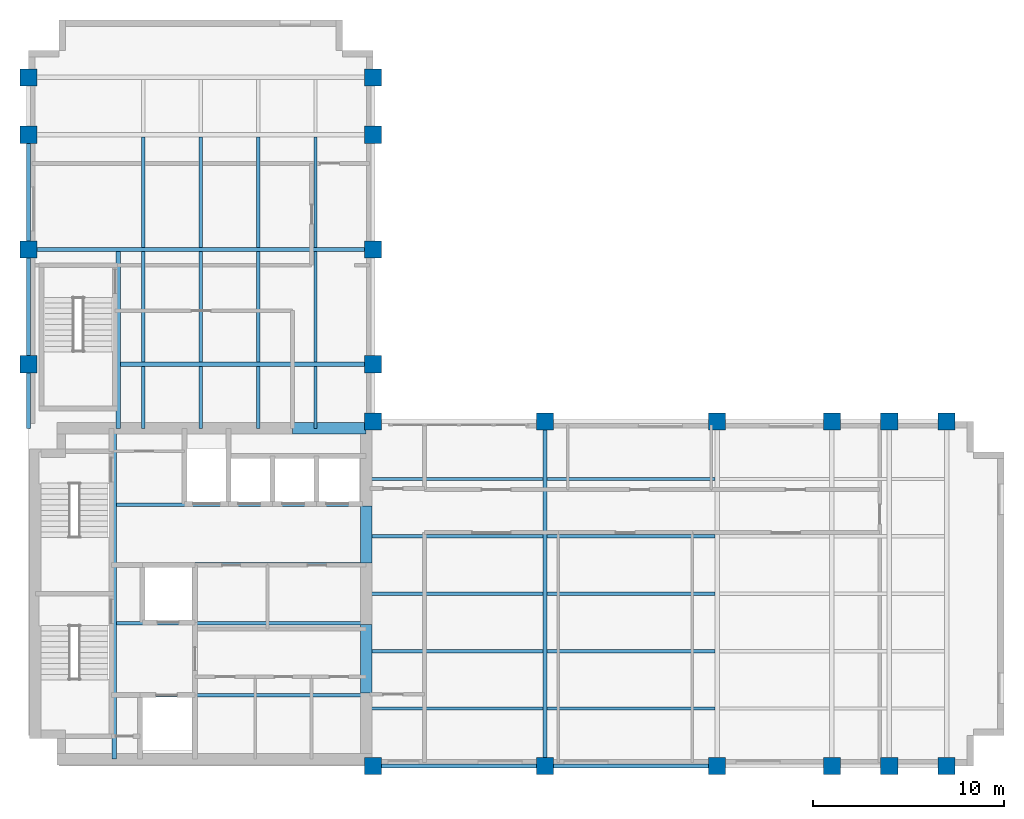
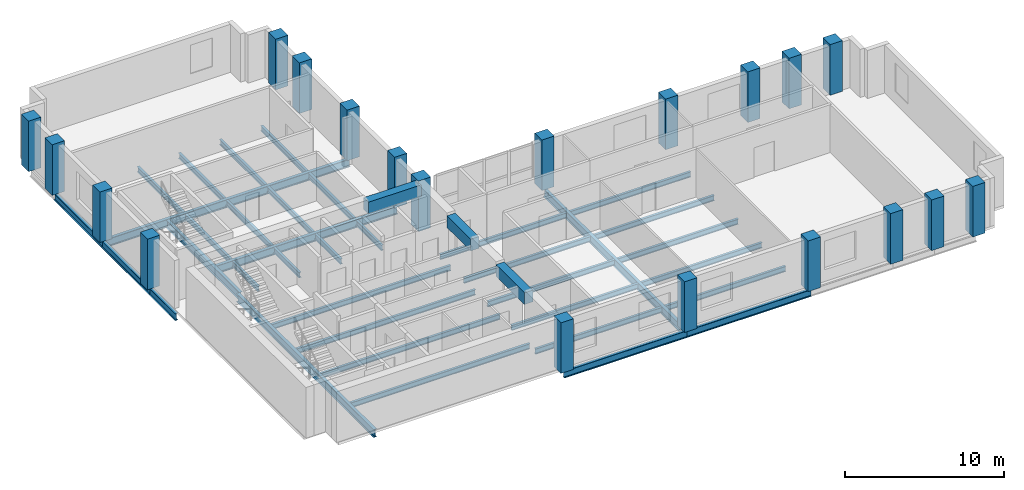
# One storey, part 1 of 7: 39 beams, 20 columns.
"""IFC4 building model written with IfcOpenShell, lengths in metres."""

from ifc_helpers import new_model, si_unit, direction, frame, origin, origin_2d, place, context, subcontext, project, spatial, rectangle, i_section, extrude, material, material_profile, profile_set, type_object, element, save


model = new_model("IFC4")

# Units and contexts
model_context = context("Model", 3, precision=1e-05, world=origin(), true_north=direction((0.0, 1.0)))
body_context = subcontext(model_context, "Body", "Model", "MODEL_VIEW")
ifc_project = project(units=[si_unit("LENGTHUNIT", "METRE"), si_unit("AREAUNIT", "SQUARE_METRE"), si_unit("VOLUMEUNIT", "CUBIC_METRE"), si_unit("PLANEANGLEUNIT", "RADIAN"), si_unit("MASSUNIT", "GRAM", prefix="KILO")], contexts=[model_context])

# Site, building, storey
site_placement = place(None, origin())
site = spatial("IfcSite", under=ifc_project, at=site_placement, CompositionType="ELEMENT")
building_placement = place(site_placement, origin())
building = spatial("IfcBuilding", under=site, at=building_placement, Name="Mawjdan Bourse Tower", CompositionType="ELEMENT")
storey_placement = place(building_placement, frame((0.0, 0.0, 203.39990234375)))
storey = spatial("IfcBuildingStorey", under=building, at=storey_placement, Name="L49", CompositionType="ELEMENT", Elevation=203.39990234375)

# Columns
ifc_material_1 = material(Name="Concrete C70/85", Category="concrete")
ifc_material_profile_1 = material_profile(ifc_material_1, rectangle(XDim=0.89990234375, YDim=0.89990234375, at=origin_2d()), Name="RC900X900")
ifc_profile_set_1 = profile_set([ifc_material_profile_1], Name="Concrete C70/85")
column_type = type_object("IfcColumnType", Name="COL-RC900X900", PredefinedType="COLUMN", material=ifc_profile_set_1)
for number, where, z_axis, x_axis, name in (
    (1, (24.0, 3.0, 0.0), (0.0, 0.0, 1.0), (1.0, 0.0, 0.0), "L49 Structural Column C-X240-Y30"),
    (2, (24.0, 21.0, 0.0), (0.0, 0.0, 1.0), (1.0, 0.0, 0.0), "L49 Structural Column C-X240-Y210"),
    (3, (33.0, 3.0, 0.0), (0.0, 0.0, 1.0), (1.0, 0.0, 0.0), "L49 Structural Column C-X330-Y30"),
    (4, (33.0, 21.0, 0.0), (0.0, 0.0, 1.0), (1.0, 0.0, 0.0), "L49 Structural Column C-X330-Y210"),
    (5, (42.0, 3.0, 0.0), (0.0, 0.0, 1.0), (1.0, 0.0, 0.0), "L49 Structural Column C-X420-Y30"),
    (6, (42.0, 21.0, 0.0), (0.0, 0.0, 1.0), (1.0, 0.0, 0.0), "L49 Structural Column C-X420-Y210"),
    (7, (48.0, 3.0, 0.0), (0.0, 0.0, 1.0), (1.0, 0.0, 0.0), "L49 Structural Column C-X480-Y30"),
    (8, (48.0, 21.0, 0.0), (0.0, 0.0, 1.0), (1.0, 0.0, 0.0), "L49 Structural Column C-X480-Y210"),
    (9, (51.0, 3.0, 0.0), (0.0, 0.0, 1.0), (1.0, 0.0, 0.0), "L49 Structural Column C-X510-Y30"),
    (10, (51.0, 21.0, 0.0), (0.0, 0.0, 1.0), (1.0, 0.0, 0.0), "L49 Structural Column C-X510-Y210"),
    (11, (54.0, 3.0, 0.0), (0.0, 0.0, 1.0), (1.0, 0.0, 0.0), "L49 Structural Column C-X540-Y30"),
    (12, (54.0, 21.0, 0.0), (0.0, 0.0, 1.0), (1.0, 0.0, 0.0), "L49 Structural Column C-X540-Y210"),
    (13, (6.0, 24.0, 0.0), (0.0, 0.0, 1.0), (1.0, 0.0, 0.0), "L49 Structural Column C-X60-Y240"),
    (14, (24.0, 24.0, 0.0), (0.0, 0.0, 1.0), (1.0, 0.0, 0.0), "L49 Structural Column C-X240-Y240"),
    (15, (6.0, 30.0, 0.0), (0.0, 0.0, 1.0), (1.0, 0.0, 0.0), "L49 Structural Column C-X60-Y300"),
    (16, (24.0, 30.0, 0.0), (0.0, 0.0, 1.0), (1.0, 0.0, 0.0), "L49 Structural Column C-X240-Y300"),
    (17, (6.0, 36.0, 0.0), (0.0, 0.0, 1.0), (1.0, 0.0, 0.0), "L49 Structural Column C-X60-Y360"),
    (18, (24.0, 36.0, 0.0), (0.0, 0.0, 1.0), (1.0, 0.0, 0.0), "L49 Structural Column C-X240-Y360"),
    (19, (6.0, 39.0, 0.0), (0.0, 0.0, 1.0), (1.0, 0.0, 0.0), "L49 Structural Column C-X60-Y390"),
    (20, (24.0, 39.0, 0.0), (0.0, 0.0, 1.0), (1.0, 0.0, 0.0), "L49 Structural Column C-X240-Y390"),
):
    element("IfcColumn", number, at=place(storey_placement, frame(where, z_axis=z_axis, x_axis=x_axis)), inside=storey, type_object=column_type, Name=name, PredefinedType="COLUMN", context=body_context, shape_type="SweptSolid", body=[
        extrude(rectangle(XDim=0.89990234375, YDim=0.89990234375, at=origin_2d()), origin(), (0.0, 0.0, 1.0), 3.900146484375),
    ])

# Beams
ifc_material_2 = material(Name="Structural Steel S355", Category="steel")
ifc_material_profile_2 = material_profile(ifc_material_2, i_section(OverallWidth=0.22998046875, OverallDepth=0.616943359375, WebThickness=0.01318359375, FlangeThickness=0.022216796875, FilletRadius=0.017822265625, at=origin_2d()), Name="W24X94")
ifc_profile_set_2 = profile_set([ifc_material_profile_2], Name="Structural Steel S355")
beam_type_1 = type_object("IfcBeamType", Name="GRD-W24X94", PredefinedType="BEAM", material=ifc_profile_set_2)
beam_1_placement = place(storey_placement, frame((10.47998046875, 3.35009765625, -0.50830078125), z_axis=(0.0, 1.0, 0.0), x_axis=(-1.0, 0.0, 0.0)))
element("IfcBeam", 21, at=beam_1_placement, inside=storey, type_object=beam_type_1, Name="L49 Core Stair Trimmer Girder 001", PredefinedType="BEAM", context=body_context, shape_type="SweptSolid", body=[
    extrude(i_section(OverallWidth=0.22998046875, OverallDepth=0.616943359375, WebThickness=0.01318359375, FlangeThickness=0.022216796875, FilletRadius=0.017822265625, at=origin_2d()), origin(), (0.0, 0.0, 1.0), 17.2998046875),
])
beam_2_placement = place(storey_placement, frame((33.0, 3.0, -0.50830078125), z_axis=(0.0, 1.0, 0.0), x_axis=(-1.0, 0.0, 0.0)))
element("IfcBeam", 22, at=beam_2_placement, inside=storey, type_object=beam_type_1, Name="L49 East Wing Clear-Span Girder 002", PredefinedType="BEAM", context=body_context, shape_type="SweptSolid", body=[
    extrude(i_section(OverallWidth=0.22998046875, OverallDepth=0.616943359375, WebThickness=0.01318359375, FlangeThickness=0.022216796875, FilletRadius=0.017822265625, at=origin_2d()), origin(), (0.0, 0.0, 1.0), 18.0),
])
beam_3_placement = place(storey_placement, frame((10.679931640625, 20.64990234375, -0.50830078125), z_axis=(0.0, 1.0, 0.0), x_axis=(-1.0, 0.0, 0.0)))
element("IfcBeam", 23, at=beam_3_placement, inside=storey, type_object=beam_type_1, Name="L49 North Wing Stair Trimmer Girder 046", PredefinedType="BEAM", context=body_context, shape_type="SweptSolid", body=[
    extrude(i_section(OverallWidth=0.22998046875, OverallDepth=0.616943359375, WebThickness=0.01318359375, FlangeThickness=0.022216796875, FilletRadius=0.017822265625, at=origin_2d()), origin(), (0.0, 0.0, 1.0), 9.237060546875),
])
beam_4_placement = place(storey_placement, frame((10.79296875, 24.0, -0.50830078125), z_axis=(1.0, 0.0, 0.0), x_axis=(0.0, 1.0, 0.0)))
element("IfcBeam", 24, at=beam_4_placement, inside=storey, type_object=beam_type_1, Name="L49 North Wing Clear-Span Girder 047", PredefinedType="BEAM", context=body_context, shape_type="SweptSolid", body=[
    extrude(i_section(OverallWidth=0.22998046875, OverallDepth=0.616943359375, WebThickness=0.01318359375, FlangeThickness=0.022216796875, FilletRadius=0.017822265625, at=origin_2d()), origin(), (0.0, 0.0, 1.0), 13.20703125),
])
beam_5_placement = place(storey_placement, frame((6.0, 30.0, -0.50830078125), z_axis=(1.0, 0.0, 0.0), x_axis=(0.0, 1.0, 0.0)))
element("IfcBeam", 25, at=beam_5_placement, inside=storey, type_object=beam_type_1, Name="L49 North Wing Clear-Span Girder 048", PredefinedType="BEAM", context=body_context, shape_type="SweptSolid", body=[
    extrude(i_section(OverallWidth=0.22998046875, OverallDepth=0.616943359375, WebThickness=0.01318359375, FlangeThickness=0.022216796875, FilletRadius=0.017822265625, at=origin_2d()), origin(), (0.0, 0.0, 1.0), 18.0),
])
ifc_material_profile_3 = material_profile(ifc_material_2, i_section(OverallWidth=0.177978515625, OverallDepth=0.406982421875, WebThickness=0.0078125, FlangeThickness=0.0126953125, FilletRadius=0.01025390625, at=origin_2d()), Name="W16X40")
ifc_profile_set_3 = profile_set([ifc_material_profile_3], Name="Structural Steel S355")
beam_type_2 = type_object("IfcBeamType", Name="JST-W16X40", PredefinedType="JOIST", material=ifc_profile_set_3)
beam_6_placement = place(storey_placement, frame((23.64990234375, 6.0, -0.4033203125), z_axis=(1.0, 0.0, 0.0), x_axis=(0.0, 1.0, 0.0)))
element("IfcBeam", 26, at=beam_6_placement, inside=storey, type_object=beam_type_2, Name="L49 East Wing Composite Joist 017", PredefinedType="JOIST", context=body_context, shape_type="SweptSolid", body=[
    extrude(i_section(OverallWidth=0.177978515625, OverallDepth=0.406982421875, WebThickness=0.0078125, FlangeThickness=0.0126953125, FilletRadius=0.01025390625, at=origin_2d()), origin(), (0.0, 0.0, 1.0), 9.237060546875),
])
beam_7_placement = place(storey_placement, frame((33.113037109375, 6.0, -0.4033203125), z_axis=(1.0, 0.0, 0.0), x_axis=(0.0, 1.0, 0.0)))
element("IfcBeam", 27, at=beam_7_placement, inside=storey, type_object=beam_type_2, Name="L49 East Wing Composite Joist 018", PredefinedType="JOIST", context=body_context, shape_type="SweptSolid", body=[
    extrude(i_section(OverallWidth=0.177978515625, OverallDepth=0.406982421875, WebThickness=0.0078125, FlangeThickness=0.0126953125, FilletRadius=0.01025390625, at=origin_2d()), origin(), (0.0, 0.0, 1.0), 8.77392578125),
])
beam_8_placement = place(storey_placement, frame((23.64990234375, 9.0, -0.4033203125), z_axis=(1.0, 0.0, 0.0), x_axis=(0.0, 1.0, 0.0)))
element("IfcBeam", 28, at=beam_8_placement, inside=storey, type_object=beam_type_2, Name="L49 East Wing Composite Joist 022", PredefinedType="JOIST", context=body_context, shape_type="SweptSolid", body=[
    extrude(i_section(OverallWidth=0.177978515625, OverallDepth=0.406982421875, WebThickness=0.0078125, FlangeThickness=0.0126953125, FilletRadius=0.01025390625, at=origin_2d()), origin(), (0.0, 0.0, 1.0), 9.237060546875),
])
beam_9_placement = place(storey_placement, frame((33.113037109375, 9.0, -0.4033203125), z_axis=(1.0, 0.0, 0.0), x_axis=(0.0, 1.0, 0.0)))
element("IfcBeam", 29, at=beam_9_placement, inside=storey, type_object=beam_type_2, Name="L49 East Wing Composite Joist 023", PredefinedType="JOIST", context=body_context, shape_type="SweptSolid", body=[
    extrude(i_section(OverallWidth=0.177978515625, OverallDepth=0.406982421875, WebThickness=0.0078125, FlangeThickness=0.0126953125, FilletRadius=0.01025390625, at=origin_2d()), origin(), (0.0, 0.0, 1.0), 8.77392578125),
])
beam_10_placement = place(storey_placement, frame((23.64990234375, 12.0, -0.4033203125), z_axis=(1.0, 0.0, 0.0), x_axis=(0.0, 1.0, 0.0)))
element("IfcBeam", 30, at=beam_10_placement, inside=storey, type_object=beam_type_2, Name="L49 East Wing Composite Joist 027", PredefinedType="JOIST", context=body_context, shape_type="SweptSolid", body=[
    extrude(i_section(OverallWidth=0.177978515625, OverallDepth=0.406982421875, WebThickness=0.0078125, FlangeThickness=0.0126953125, FilletRadius=0.01025390625, at=origin_2d()), origin(), (0.0, 0.0, 1.0), 9.237060546875),
])
beam_11_placement = place(storey_placement, frame((33.113037109375, 12.0, -0.4033203125), z_axis=(1.0, 0.0, 0.0), x_axis=(0.0, 1.0, 0.0)))
element("IfcBeam", 31, at=beam_11_placement, inside=storey, type_object=beam_type_2, Name="L49 East Wing Composite Joist 028", PredefinedType="JOIST", context=body_context, shape_type="SweptSolid", body=[
    extrude(i_section(OverallWidth=0.177978515625, OverallDepth=0.406982421875, WebThickness=0.0078125, FlangeThickness=0.0126953125, FilletRadius=0.01025390625, at=origin_2d()), origin(), (0.0, 0.0, 1.0), 8.77392578125),
])
beam_12_placement = place(storey_placement, frame((23.64990234375, 15.0, -0.4033203125), z_axis=(1.0, 0.0, 0.0), x_axis=(0.0, 1.0, 0.0)))
element("IfcBeam", 32, at=beam_12_placement, inside=storey, type_object=beam_type_2, Name="L49 East Wing Composite Joist 032", PredefinedType="JOIST", context=body_context, shape_type="SweptSolid", body=[
    extrude(i_section(OverallWidth=0.177978515625, OverallDepth=0.406982421875, WebThickness=0.0078125, FlangeThickness=0.0126953125, FilletRadius=0.01025390625, at=origin_2d()), origin(), (0.0, 0.0, 1.0), 9.237060546875),
])
beam_13_placement = place(storey_placement, frame((33.113037109375, 15.0, -0.4033203125), z_axis=(1.0, 0.0, 0.0), x_axis=(0.0, 1.0, 0.0)))
element("IfcBeam", 33, at=beam_13_placement, inside=storey, type_object=beam_type_2, Name="L49 East Wing Composite Joist 033", PredefinedType="JOIST", context=body_context, shape_type="SweptSolid", body=[
    extrude(i_section(OverallWidth=0.177978515625, OverallDepth=0.406982421875, WebThickness=0.0078125, FlangeThickness=0.0126953125, FilletRadius=0.01025390625, at=origin_2d()), origin(), (0.0, 0.0, 1.0), 8.77392578125),
])
beam_14_placement = place(storey_placement, frame((23.64990234375, 18.0, -0.4033203125), z_axis=(1.0, 0.0, 0.0), x_axis=(0.0, 1.0, 0.0)))
element("IfcBeam", 34, at=beam_14_placement, inside=storey, type_object=beam_type_2, Name="L49 East Wing Composite Joist 037", PredefinedType="JOIST", context=body_context, shape_type="SweptSolid", body=[
    extrude(i_section(OverallWidth=0.177978515625, OverallDepth=0.406982421875, WebThickness=0.0078125, FlangeThickness=0.0126953125, FilletRadius=0.01025390625, at=origin_2d()), origin(), (0.0, 0.0, 1.0), 9.237060546875),
])
beam_15_placement = place(storey_placement, frame((33.113037109375, 18.0, -0.4033203125), z_axis=(1.0, 0.0, 0.0), x_axis=(0.0, 1.0, 0.0)))
element("IfcBeam", 35, at=beam_15_placement, inside=storey, type_object=beam_type_2, Name="L49 East Wing Composite Joist 038", PredefinedType="JOIST", context=body_context, shape_type="SweptSolid", body=[
    extrude(i_section(OverallWidth=0.177978515625, OverallDepth=0.406982421875, WebThickness=0.0078125, FlangeThickness=0.0126953125, FilletRadius=0.01025390625, at=origin_2d()), origin(), (0.0, 0.0, 1.0), 8.77392578125),
])
for number, where, z_axis, x_axis, name in (
    (36, (10.593017578125, 6.699951171875, -0.4033203125), (1.0, 0.0, 0.0), (0.0, 1.0, 0.0), "L49 Core Floor Joist 042"),
    (37, (10.593017578125, 10.449951171875, -0.4033203125), (1.0, 0.0, 0.0), (0.0, 1.0, 0.0), "L49 Core Floor Joist 043"),
    (38, (10.593017578125, 13.550048828125, -0.4033203125), (1.0, 0.0, 0.0), (0.0, 1.0, 0.0), "L49 Core Floor Joist 044"),
    (39, (10.593017578125, 16.64990234375, -0.4033203125), (1.0, 0.0, 0.0), (0.0, 1.0, 0.0), "L49 Core Floor Joist 045"),
):
    element("IfcBeam", number, at=place(storey_placement, frame(where, z_axis=z_axis, x_axis=x_axis)), inside=storey, type_object=beam_type_2, Name=name, PredefinedType="JOIST", context=body_context, shape_type="SweptSolid", body=[
        extrude(i_section(OverallWidth=0.177978515625, OverallDepth=0.406982421875, WebThickness=0.0078125, FlangeThickness=0.0126953125, FilletRadius=0.01025390625, at=origin_2d()), origin(), (0.0, 0.0, 1.0), 13.056884765625),
    ])
beam_16_placement = place(storey_placement, frame((12.0, 20.64990234375, -0.4033203125), z_axis=(0.0, 1.0, 0.0), x_axis=(-1.0, 0.0, 0.0)))
element("IfcBeam", 40, at=beam_16_placement, inside=storey, type_object=beam_type_2, Name="L49 North Wing Composite Joist 059", PredefinedType="JOIST", context=body_context, shape_type="SweptSolid", body=[
    extrude(i_section(OverallWidth=0.177978515625, OverallDepth=0.406982421875, WebThickness=0.0078125, FlangeThickness=0.0126953125, FilletRadius=0.01025390625, at=origin_2d()), origin(), (0.0, 0.0, 1.0), 3.237060546875),
])
for number, where, z_axis, x_axis, name in (
    (41, (12.0, 24.113037109375, -0.4033203125), (0.0, 1.0, 0.0), (-1.0, 0.0, 0.0), "L49 North Wing Composite Joist 060"),
    (42, (12.0, 30.113037109375, -0.4033203125), (0.0, 1.0, 0.0), (-1.0, 0.0, 0.0), "L49 North Wing Composite Joist 061"),
):
    element("IfcBeam", number, at=place(storey_placement, frame(where, z_axis=z_axis, x_axis=x_axis)), inside=storey, type_object=beam_type_2, Name=name, PredefinedType="JOIST", context=body_context, shape_type="SweptSolid", body=[
        extrude(i_section(OverallWidth=0.177978515625, OverallDepth=0.406982421875, WebThickness=0.0078125, FlangeThickness=0.0126953125, FilletRadius=0.01025390625, at=origin_2d()), origin(), (0.0, 0.0, 1.0), 5.77392578125),
    ])
beam_17_placement = place(storey_placement, frame((15.0, 20.64990234375, -0.4033203125), z_axis=(0.0, 1.0, 0.0), x_axis=(-1.0, 0.0, 0.0)))
element("IfcBeam", 43, at=beam_17_placement, inside=storey, type_object=beam_type_2, Name="L49 North Wing Composite Joist 063", PredefinedType="JOIST", context=body_context, shape_type="SweptSolid", body=[
    extrude(i_section(OverallWidth=0.177978515625, OverallDepth=0.406982421875, WebThickness=0.0078125, FlangeThickness=0.0126953125, FilletRadius=0.01025390625, at=origin_2d()), origin(), (0.0, 0.0, 1.0), 3.237060546875),
])
for number, where, z_axis, x_axis, name in (
    (44, (15.0, 24.113037109375, -0.4033203125), (0.0, 1.0, 0.0), (-1.0, 0.0, 0.0), "L49 North Wing Composite Joist 064"),
    (45, (15.0, 30.113037109375, -0.4033203125), (0.0, 1.0, 0.0), (-1.0, 0.0, 0.0), "L49 North Wing Composite Joist 065"),
):
    element("IfcBeam", number, at=place(storey_placement, frame(where, z_axis=z_axis, x_axis=x_axis)), inside=storey, type_object=beam_type_2, Name=name, PredefinedType="JOIST", context=body_context, shape_type="SweptSolid", body=[
        extrude(i_section(OverallWidth=0.177978515625, OverallDepth=0.406982421875, WebThickness=0.0078125, FlangeThickness=0.0126953125, FilletRadius=0.01025390625, at=origin_2d()), origin(), (0.0, 0.0, 1.0), 5.77392578125),
    ])
beam_18_placement = place(storey_placement, frame((18.0, 20.64990234375, -0.4033203125), z_axis=(0.0, 1.0, 0.0), x_axis=(-1.0, 0.0, 0.0)))
element("IfcBeam", 46, at=beam_18_placement, inside=storey, type_object=beam_type_2, Name="L49 North Wing Composite Joist 067", PredefinedType="JOIST", context=body_context, shape_type="SweptSolid", body=[
    extrude(i_section(OverallWidth=0.177978515625, OverallDepth=0.406982421875, WebThickness=0.0078125, FlangeThickness=0.0126953125, FilletRadius=0.01025390625, at=origin_2d()), origin(), (0.0, 0.0, 1.0), 3.237060546875),
])
for number, where, z_axis, x_axis, name in (
    (47, (18.0, 24.113037109375, -0.4033203125), (0.0, 1.0, 0.0), (-1.0, 0.0, 0.0), "L49 North Wing Composite Joist 068"),
    (48, (18.0, 30.113037109375, -0.4033203125), (0.0, 1.0, 0.0), (-1.0, 0.0, 0.0), "L49 North Wing Composite Joist 069"),
):
    element("IfcBeam", number, at=place(storey_placement, frame(where, z_axis=z_axis, x_axis=x_axis)), inside=storey, type_object=beam_type_2, Name=name, PredefinedType="JOIST", context=body_context, shape_type="SweptSolid", body=[
        extrude(i_section(OverallWidth=0.177978515625, OverallDepth=0.406982421875, WebThickness=0.0078125, FlangeThickness=0.0126953125, FilletRadius=0.01025390625, at=origin_2d()), origin(), (0.0, 0.0, 1.0), 5.77392578125),
    ])
beam_19_placement = place(storey_placement, frame((21.0, 20.64990234375, -0.4033203125), z_axis=(0.0, 1.0, 0.0), x_axis=(-1.0, 0.0, 0.0)))
element("IfcBeam", 49, at=beam_19_placement, inside=storey, type_object=beam_type_2, Name="L49 North Wing Composite Joist 071", PredefinedType="JOIST", context=body_context, shape_type="SweptSolid", body=[
    extrude(i_section(OverallWidth=0.177978515625, OverallDepth=0.406982421875, WebThickness=0.0078125, FlangeThickness=0.0126953125, FilletRadius=0.01025390625, at=origin_2d()), origin(), (0.0, 0.0, 1.0), 3.237060546875),
])
for number, where, z_axis, x_axis, name in (
    (50, (21.0, 24.113037109375, -0.4033203125), (0.0, 1.0, 0.0), (-1.0, 0.0, 0.0), "L49 North Wing Composite Joist 072"),
    (51, (21.0, 30.113037109375, -0.4033203125), (0.0, 1.0, 0.0), (-1.0, 0.0, 0.0), "L49 North Wing Composite Joist 073"),
):
    element("IfcBeam", number, at=place(storey_placement, frame(where, z_axis=z_axis, x_axis=x_axis)), inside=storey, type_object=beam_type_2, Name=name, PredefinedType="JOIST", context=body_context, shape_type="SweptSolid", body=[
        extrude(i_section(OverallWidth=0.177978515625, OverallDepth=0.406982421875, WebThickness=0.0078125, FlangeThickness=0.0126953125, FilletRadius=0.01025390625, at=origin_2d()), origin(), (0.0, 0.0, 1.0), 5.77392578125),
    ])
ifc_material_profile_4 = material_profile(ifc_material_1, rectangle(XDim=0.60009765625, YDim=0.89990234375, at=origin_2d()), Name="RCB600X900")
ifc_profile_set_4 = profile_set([ifc_material_profile_4], Name="Concrete C70/85")
beam_type_3 = type_object("IfcBeamType", Name="LNT-RCB600X900", PredefinedType="LINTEL", material=ifc_profile_set_4)
beam_20_placement = place(storey_placement, frame((23.64990234375, 6.800048828125, 3.25), z_axis=(0.0, 1.0, 0.0), x_axis=(-1.0, 0.0, 0.0)))
element("IfcBeam", 52, at=beam_20_placement, inside=storey, type_object=beam_type_3, Name="L49 Coupled Core Lintel CB-E1", PredefinedType="LINTEL", context=body_context, shape_type="SweptSolid", body=[
    extrude(rectangle(XDim=0.60009765625, YDim=0.89990234375, at=origin_2d()), origin(), (0.0, 0.0, 1.0), 3.599853515625),
])
beam_21_placement = place(storey_placement, frame((23.64990234375, 13.60009765625, 3.25), z_axis=(0.0, 1.0, 0.0), x_axis=(-1.0, 0.0, 0.0)))
element("IfcBeam", 53, at=beam_21_placement, inside=storey, type_object=beam_type_3, Name="L49 Coupled Core Lintel CB-E2", PredefinedType="LINTEL", context=body_context, shape_type="SweptSolid", body=[
    extrude(rectangle(XDim=0.60009765625, YDim=0.89990234375, at=origin_2d()), origin(), (0.0, 0.0, 1.0), 3.0),
])
beam_22_placement = place(storey_placement, frame((19.800048828125, 20.64990234375, 3.25), z_axis=(1.0, 0.0, 0.0), x_axis=(0.0, 1.0, 0.0)))
element("IfcBeam", 54, at=beam_22_placement, inside=storey, type_object=beam_type_3, Name="L49 Coupled Core Lintel CB-N1", PredefinedType="LINTEL", context=body_context, shape_type="SweptSolid", body=[
    extrude(rectangle(XDim=0.60009765625, YDim=0.89990234375, at=origin_2d()), origin(), (0.0, 0.0, 1.0), 3.849853515625),
])
ifc_material_profile_5 = material_profile(ifc_material_2, i_section(OverallWidth=0.2099609375, OverallDepth=0.537109375, WebThickness=0.010986328125, FlangeThickness=0.017333984375, FilletRadius=0.013916015625, at=origin_2d()), Name="W21X68")
ifc_profile_set_5 = profile_set([ifc_material_profile_5], Name="Structural Steel S355")
beam_type_4 = type_object("IfcBeamType", Name="SPN-W21X68", PredefinedType="SPANDREL", material=ifc_profile_set_5)
for number, where, z_axis, x_axis, name in (
    (55, (24.0, 3.0, -0.468505859375), (1.0, 0.0, 0.0), (0.0, 1.0, 0.0), "L49 Perimeter Masonry-Shelf Spandrel 007"),
    (56, (33.0, 3.0, -0.468505859375), (1.0, 0.0, 0.0), (0.0, 1.0, 0.0), "L49 Perimeter Masonry-Shelf Spandrel 008"),
):
    element("IfcBeam", number, at=place(storey_placement, frame(where, z_axis=z_axis, x_axis=x_axis)), inside=storey, type_object=beam_type_4, Name=name, PredefinedType="SPANDREL", context=body_context, shape_type="SweptSolid", body=[
        extrude(i_section(OverallWidth=0.2099609375, OverallDepth=0.537109375, WebThickness=0.010986328125, FlangeThickness=0.017333984375, FilletRadius=0.013916015625, at=origin_2d()), origin(), (0.0, 0.0, 1.0), 9.0),
    ])
beam_23_placement = place(storey_placement, frame((6.0, 20.64990234375, -0.468505859375), z_axis=(0.0, 1.0, 0.0), x_axis=(-1.0, 0.0, 0.0)))
element("IfcBeam", 57, at=beam_23_placement, inside=storey, type_object=beam_type_4, Name="L49 North Wing Spandrel 051", PredefinedType="SPANDREL", context=body_context, shape_type="SweptSolid", body=[
    extrude(i_section(OverallWidth=0.2099609375, OverallDepth=0.537109375, WebThickness=0.010986328125, FlangeThickness=0.017333984375, FilletRadius=0.013916015625, at=origin_2d()), origin(), (0.0, 0.0, 1.0), 3.35009765625),
])
for number, where, z_axis, x_axis, name in (
    (58, (6.0, 24.0, -0.468505859375), (0.0, 1.0, 0.0), (-1.0, 0.0, 0.0), "L49 North Wing Spandrel 052"),
    (59, (6.0, 30.0, -0.468505859375), (0.0, 1.0, 0.0), (-1.0, 0.0, 0.0), "L49 North Wing Spandrel 053"),
):
    element("IfcBeam", number, at=place(storey_placement, frame(where, z_axis=z_axis, x_axis=x_axis)), inside=storey, type_object=beam_type_4, Name=name, PredefinedType="SPANDREL", context=body_context, shape_type="SweptSolid", body=[
        extrude(i_section(OverallWidth=0.2099609375, OverallDepth=0.537109375, WebThickness=0.010986328125, FlangeThickness=0.017333984375, FilletRadius=0.013916015625, at=origin_2d()), origin(), (0.0, 0.0, 1.0), 6.0),
    ])

save(model, "model.ifc")
